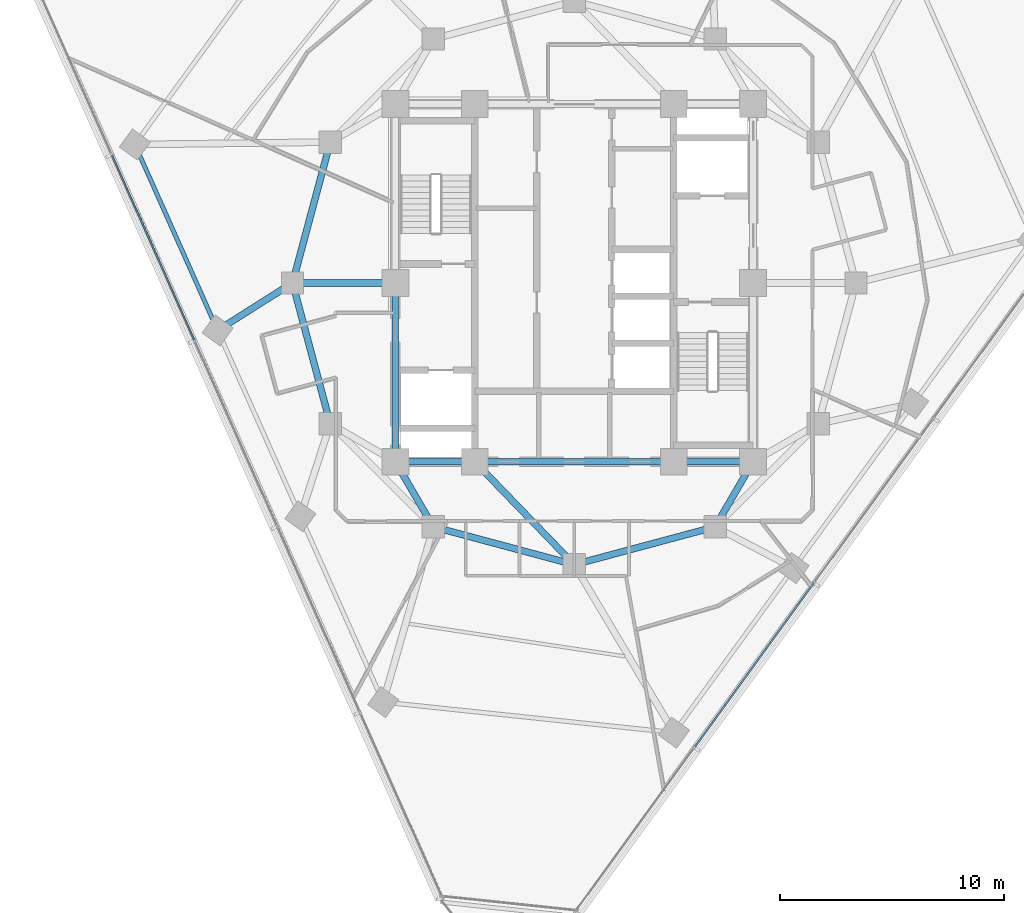
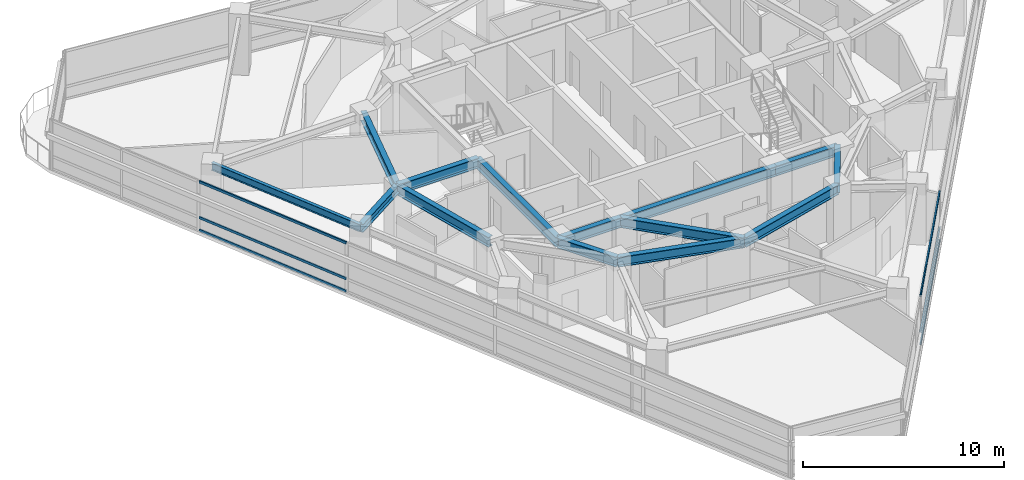
# One storey, part 3 of 15: 14 beams, 6 members, 2 elements without a shape of their own.
"""IFC4 building model written with IfcOpenShell, lengths in metres."""

from ifc_helpers import new_model, si_unit, direction, frame, origin, origin_2d, place, context, subcontext, project, spatial, rectangle, i_section, extrude, material, layer, layer_set, material_profile, profile_set, type_object, element, aggregate, save


model = new_model("IFC4")

# Units and contexts
model_context = context("Model", 3, precision=1e-05, world=origin(), true_north=direction((0.0, 1.0)))
body_context = subcontext(model_context, "Body", "Model", "MODEL_VIEW")
ifc_project = project(units=[si_unit("LENGTHUNIT", "METRE"), si_unit("AREAUNIT", "SQUARE_METRE"), si_unit("VOLUMEUNIT", "CUBIC_METRE"), si_unit("PLANEANGLEUNIT", "RADIAN"), si_unit("MASSUNIT", "GRAM", prefix="KILO")], contexts=[model_context])

# Site, building, storey
site_placement = place(None, origin())
site = spatial("IfcSite", under=ifc_project, at=site_placement, CompositionType="ELEMENT")
building_placement = place(site_placement, origin())
building = spatial("IfcBuilding", under=site, at=building_placement, Name="Terralouvre Media Tower", CompositionType="ELEMENT")
storey_placement = place(building_placement, frame((0.0, 0.0, 237.39990234375)))
storey = spatial("IfcBuildingStorey", under=building, at=storey_placement, Name="L61", CompositionType="ELEMENT", Elevation=237.39990234375)

# Curtain wall, members
ifc_material_1 = material(Name="Low-iron laminated double glazing with solar-control coating", Category="glass")
ifc_layer = layer(ifc_material_1, 0.1650390625, Name="Upper Executive Tower Curtain Wall CW-05")
ifc_layer_set = layer_set([ifc_layer], Name="Low-iron laminated double glazing with solar-control coating")
curtain_wall_type = type_object("IfcCurtainWallType", Name="Upper Executive Tower Curtain Wall CW-05", PredefinedType="NOTDEFINED", material=ifc_layer_set)
curtain_wall_1_placement = place(storey_placement, origin())
curtain_wall_1 = element("IfcCurtainWall", 1, at=curtain_wall_1_placement, inside=storey, type_object=curtain_wall_type, Name="L61 Facade Curtain Wall F0", PredefinedType="NOTDEFINED")
ifc_material_2 = material(Name="Anodised extruded aluminium 6063-T6", Category="aluminium")
ifc_material_profile_1 = material_profile(ifc_material_2, rectangle(XDim=0.074951171875, YDim=0.14990234375, at=origin_2d()), Name="ALU 75x150")
ifc_profile_set_1 = profile_set([ifc_material_profile_1], Name="Anodised extruded aluminium 6063-T6")
member_type = type_object("IfcMemberType", Name="Curtain-Wall Horizontal Transom TR-150", PredefinedType="USERDEFINED", material=ifc_profile_set_1)
member_1_placement = place(storey_placement, frame((5.39990234375, -20.749267578125, 0.03759765625), z_axis=(0.587772727709, 0.809026093869, 0.0), x_axis=(-0.809026093869, 0.587772727709, 0.0)))
member_1 = element("IfcMember", 2, at=member_1_placement, type_object=member_type, Name="CW-05 transom 2.1", ObjectType="TRANSOM", PredefinedType="USERDEFINED", context=body_context, shape_type="SweptSolid", body=[
    extrude(rectangle(XDim=0.074951171875, YDim=0.14990234375, at=origin_2d()), origin(), (0.0, 0.0, 1.0), 9.025146484375),
])
member_2_placement = place(storey_placement, frame((5.39990234375, -20.749267578125, 0.800048828125), z_axis=(0.587772727709, 0.809026093869, 0.0), x_axis=(-0.809026093869, 0.587772727709, 0.0)))
member_2 = element("IfcMember", 3, at=member_2_placement, type_object=member_type, Name="CW-05 transom 2.2", ObjectType="TRANSOM", PredefinedType="USERDEFINED", context=body_context, shape_type="SweptSolid", body=[
    extrude(rectangle(XDim=0.074951171875, YDim=0.14990234375, at=origin_2d()), origin(), (0.0, 0.0, 1.0), 9.025146484375),
])
member_3_placement = place(storey_placement, frame((5.39990234375, -20.749267578125, 2.962646484375), z_axis=(0.587772727709, 0.809026093869, 0.0), x_axis=(-0.809026093869, 0.587772727709, 0.0)))
member_3 = element("IfcMember", 4, at=member_3_placement, type_object=member_type, Name="CW-05 transom 2.3", ObjectType="TRANSOM", PredefinedType="USERDEFINED", context=body_context, shape_type="SweptSolid", body=[
    extrude(rectangle(XDim=0.074951171875, YDim=0.14990234375, at=origin_2d()), origin(), (0.0, 0.0, 1.0), 9.025146484375),
])
aggregate(curtain_wall_1, [member_1, member_2, member_3])

curtain_wall_2_placement = place(storey_placement, origin())
curtain_wall_2 = element("IfcCurtainWall", 5, at=curtain_wall_2_placement, inside=storey, type_object=curtain_wall_type, Name="L61 Facade Curtain Wall F2", PredefinedType="NOTDEFINED")
member_4_placement = place(storey_placement, frame((-20.66943359375, 5.6982421875, 0.03759765625), z_axis=(0.406740753437, -0.913543627581, 0.0), x_axis=(0.913543627581, 0.406740753437, 0.0)))
member_4 = element("IfcMember", 6, at=member_4_placement, type_object=member_type, Name="CW-05 transom 2.1", ObjectType="TRANSOM", PredefinedType="USERDEFINED", context=body_context, shape_type="SweptSolid", body=[
    extrude(rectangle(XDim=0.074951171875, YDim=0.14990234375, at=origin_2d()), origin(), (0.0, 0.0, 1.0), 9.025146484375),
])
member_5_placement = place(storey_placement, frame((-20.66943359375, 5.6982421875, 0.800048828125), z_axis=(0.406740753437, -0.913543627581, 0.0), x_axis=(0.913543627581, 0.406740753437, 0.0)))
member_5 = element("IfcMember", 7, at=member_5_placement, type_object=member_type, Name="CW-05 transom 2.2", ObjectType="TRANSOM", PredefinedType="USERDEFINED", context=body_context, shape_type="SweptSolid", body=[
    extrude(rectangle(XDim=0.074951171875, YDim=0.14990234375, at=origin_2d()), origin(), (0.0, 0.0, 1.0), 9.025146484375),
])
member_6_placement = place(storey_placement, frame((-20.66943359375, 5.6982421875, 2.962646484375), z_axis=(0.406740753437, -0.913543627581, 0.0), x_axis=(0.913543627581, 0.406740753437, 0.0)))
member_6 = element("IfcMember", 8, at=member_6_placement, type_object=member_type, Name="CW-05 transom 2.3", ObjectType="TRANSOM", PredefinedType="USERDEFINED", context=body_context, shape_type="SweptSolid", body=[
    extrude(rectangle(XDim=0.074951171875, YDim=0.14990234375, at=origin_2d()), origin(), (0.0, 0.0, 1.0), 9.025146484375),
])
aggregate(curtain_wall_2, [member_4, member_5, member_6])

# Beams
ifc_material_3 = material(Name="Structural steel S355J2", Category="steel")
ifc_material_profile_2 = material_profile(ifc_material_3, i_section(OverallWidth=0.18994140625, OverallDepth=0.449951171875, WebThickness=0.009521484375, FlangeThickness=0.0146484375, at=origin_2d()), Name="IPE 450")
ifc_profile_set_2 = profile_set([ifc_material_profile_2], Name="Structural steel S355J2")
beam_type_1 = type_object("IfcBeamType", Name="Perimeter Spandrel Beam SPB-450 (IPE 450)", PredefinedType="SPANDREL", material=ifc_profile_set_2)
beam_1_placement = place(storey_placement, frame((-19.65234375, 6.192138671875, 3.275146484375), z_axis=(0.406738273219, -0.913544731854, 0.0), x_axis=(0.913544731854, 0.406738273219, 0.0)))
element("IfcBeam", 9, at=beam_1_placement, inside=storey, type_object=beam_type_1, Name="L61 Framing Beam BM-L61-PR12", PredefinedType="SPANDREL", context=body_context, shape_type="SweptSolid", body=[
    extrude(i_section(OverallWidth=0.18994140625, OverallDepth=0.449951171875, WebThickness=0.009521484375, FlangeThickness=0.0146484375, at=origin_2d()), origin(), (0.0, 0.0, 1.0), 9.100341796875),
])
ifc_material_4 = material(Name="Structural steel S355J2", Category="steel")
ifc_material_profile_3 = material_profile(ifc_material_4, i_section(OverallWidth=0.300048828125, OverallDepth=0.5, WebThickness=0.014404296875, FlangeThickness=0.028076171875, at=origin_2d()), Name="HEB 500")
ifc_profile_set_3 = profile_set([ifc_material_profile_3], Name="Structural steel S355J2")
beam_type_2 = type_object("IfcBeamType", Name="Primary Floor Girder B-HEB500 (HEB 500)", PredefinedType="BEAM", material=ifc_profile_set_3)
beam_2_placement = place(storey_placement, frame((-12.60009765625, 0.0, 3.25), z_axis=(-0.844916454891, -0.534898293373, 0.0), x_axis=(0.534898293373, -0.844916454891, 0.0)))
element("IfcBeam", 10, at=beam_2_placement, inside=storey, type_object=beam_type_2, Name="L61 Framing Beam BM-L61-RD01", PredefinedType="BEAM", context=body_context, shape_type="SweptSolid", body=[
    extrude(i_section(OverallWidth=0.300048828125, OverallDepth=0.5, WebThickness=0.014404296875, FlangeThickness=0.028076171875, at=origin_2d()), origin(), (0.0, 0.0, 1.0), 3.9658203125),
])
ifc_material_5 = material(Name="Structural steel S460M", Category="steel")
ifc_material_profile_4 = material_profile(ifc_material_5, i_section(OverallWidth=0.300048828125, OverallDepth=0.60009765625, WebThickness=0.015380859375, FlangeThickness=0.030029296875, at=origin_2d()), Name="HEB 600")
ifc_profile_set_4 = profile_set([ifc_material_profile_4], Name="Structural steel S460M")
beam_type_3 = type_object("IfcBeamType", Name="Primary Floor Girder B-HEB600 (HEB 600)", PredefinedType="BEAM", material=ifc_profile_set_4)
beam_3_placement = place(storey_placement, frame((-8.0, -8.0, 3.2001953125), z_axis=(1.0, 0.0, 0.0), x_axis=(0.0, 1.0, 0.0)))
element("IfcBeam", 11, at=beam_3_placement, inside=storey, type_object=beam_type_3, Name="L61 Framing Beam BM-L61-CPR01", PredefinedType="BEAM", context=body_context, shape_type="SweptSolid", body=[
    extrude(i_section(OverallWidth=0.300048828125, OverallDepth=0.60009765625, WebThickness=0.015380859375, FlangeThickness=0.030029296875, at=origin_2d()), origin(), (0.0, 0.0, 1.0), 3.550048828125),
])
beam_4_placement = place(storey_placement, frame((-4.449951171875, -8.0, 3.2001953125), z_axis=(1.0, 0.0, 0.0), x_axis=(0.0, 1.0, 0.0)))
element("IfcBeam", 12, at=beam_4_placement, inside=storey, type_object=beam_type_3, Name="L61 Framing Beam BM-L61-CPR02", PredefinedType="BEAM", context=body_context, shape_type="SweptSolid", body=[
    extrude(i_section(OverallWidth=0.300048828125, OverallDepth=0.60009765625, WebThickness=0.015380859375, FlangeThickness=0.030029296875, at=origin_2d()), origin(), (0.0, 0.0, 1.0), 8.89990234375),
])
beam_5_placement = place(storey_placement, frame((4.449951171875, -8.0, 3.2001953125), z_axis=(1.0, 0.0, 0.0), x_axis=(0.0, 1.0, 0.0)))
element("IfcBeam", 13, at=beam_5_placement, inside=storey, type_object=beam_type_3, Name="L61 Framing Beam BM-L61-CPR03", PredefinedType="BEAM", context=body_context, shape_type="SweptSolid", body=[
    extrude(i_section(OverallWidth=0.300048828125, OverallDepth=0.60009765625, WebThickness=0.015380859375, FlangeThickness=0.030029296875, at=origin_2d()), origin(), (0.0, 0.0, 1.0), 3.550048828125),
])
beam_6_placement = place(storey_placement, frame((-8.0, 0.0, 3.2001953125), z_axis=(0.0, -1.0, 0.0), x_axis=(1.0, 0.0, 0.0)))
element("IfcBeam", 14, at=beam_6_placement, inside=storey, type_object=beam_type_3, Name="L61 Framing Beam BM-L61-CPR10", PredefinedType="BEAM", context=body_context, shape_type="SweptSolid", body=[
    extrude(i_section(OverallWidth=0.300048828125, OverallDepth=0.60009765625, WebThickness=0.015380859375, FlangeThickness=0.030029296875, at=origin_2d()), origin(), (0.0, 0.0, 1.0), 8.0),
])
for number, where, z_axis, x_axis, name in (
    (15, (-6.300048828125, -10.911865234375, 3.2001953125), (0.965920481897, -0.258838989821, 0.0), (0.258838989821, 0.965920481897, 0.0), "L61 Framing Beam BM-L61-MR02"),
    (16, (0.0, -12.60009765625, 3.2001953125), (0.965920481897, 0.258838989821, 0.0), (-0.258838989821, 0.965920481897, 0.0), "L61 Framing Beam BM-L61-MR03"),
    (17, (-10.911865234375, 6.300048828125, 3.2001953125), (-0.258838989821, -0.965920481897, 0.0), (0.965920481897, -0.258838989821, 0.0), "L61 Framing Beam BM-L61-MR11"),
    (18, (-12.60009765625, 0.0, 3.2001953125), (0.258838989821, -0.965920481897, 0.0), (0.965920481897, 0.258838989821, 0.0), "L61 Framing Beam BM-L61-MR12"),
):
    element("IfcBeam", number, at=place(storey_placement, frame(where, z_axis=z_axis, x_axis=x_axis)), inside=storey, type_object=beam_type_3, Name=name, PredefinedType="BEAM", context=body_context, shape_type="SweptSolid", body=[
        extrude(i_section(OverallWidth=0.300048828125, OverallDepth=0.60009765625, WebThickness=0.015380859375, FlangeThickness=0.030029296875, at=origin_2d()), origin(), (0.0, 0.0, 1.0), 6.522216796875),
    ])
beam_7_placement = place(storey_placement, frame((-8.0, -8.0, 3.2001953125), z_axis=(0.504172629717, -0.863602894532, 0.0), x_axis=(0.863602894532, 0.504172629717, 0.0)))
element("IfcBeam", 19, at=beam_7_placement, inside=storey, type_object=beam_type_3, Name="L61 Framing Beam BM-L61-CM02", PredefinedType="BEAM", context=body_context, shape_type="SweptSolid", body=[
    extrude(i_section(OverallWidth=0.300048828125, OverallDepth=0.60009765625, WebThickness=0.015380859375, FlangeThickness=0.030029296875, at=origin_2d()), origin(), (0.0, 0.0, 1.0), 3.371826171875),
])
beam_8_placement = place(storey_placement, frame((-4.449951171875, -8.0, 3.2001953125), z_axis=(0.695279715726, -0.718739255155, 0.0), x_axis=(0.718739255155, 0.695279715726, 0.0)))
element("IfcBeam", 20, at=beam_8_placement, inside=storey, type_object=beam_type_3, Name="L61 Framing Beam BM-L61-CM03", PredefinedType="BEAM", context=body_context, shape_type="SweptSolid", body=[
    extrude(i_section(OverallWidth=0.300048828125, OverallDepth=0.60009765625, WebThickness=0.015380859375, FlangeThickness=0.030029296875, at=origin_2d()), origin(), (0.0, 0.0, 1.0), 6.400146484375),
])
beam_9_placement = place(storey_placement, frame((8.0, -8.0, 3.2001953125), z_axis=(-0.504172629717, -0.863602894532, 0.0), x_axis=(0.863602894532, -0.504172629717, 0.0)))
element("IfcBeam", 21, at=beam_9_placement, inside=storey, type_object=beam_type_3, Name="L61 Framing Beam BM-L61-CM04", PredefinedType="BEAM", context=body_context, shape_type="SweptSolid", body=[
    extrude(i_section(OverallWidth=0.300048828125, OverallDepth=0.60009765625, WebThickness=0.015380859375, FlangeThickness=0.030029296875, at=origin_2d()), origin(), (0.0, 0.0, 1.0), 3.371826171875),
])
beam_10_placement = place(storey_placement, frame((-8.0, 0.0, 3.2001953125), z_axis=(-1.0, 0.0, 0.0), x_axis=(0.0, -1.0, 0.0)))
element("IfcBeam", 22, at=beam_10_placement, inside=storey, type_object=beam_type_3, Name="L61 Framing Beam BM-L61-CM12", PredefinedType="BEAM", context=body_context, shape_type="SweptSolid", body=[
    extrude(i_section(OverallWidth=0.300048828125, OverallDepth=0.60009765625, WebThickness=0.015380859375, FlangeThickness=0.030029296875, at=origin_2d()), origin(), (0.0, 0.0, 1.0), 4.60009765625),
])

save(model, "model.ifc")
